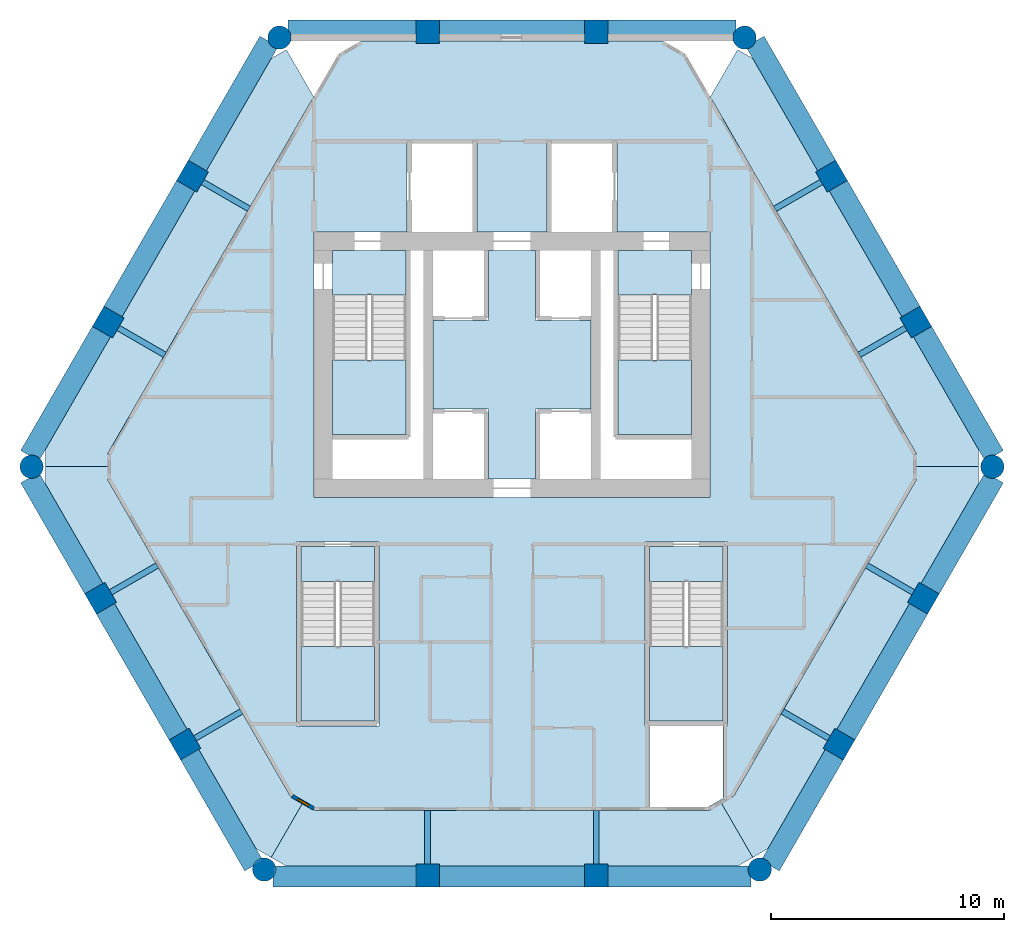
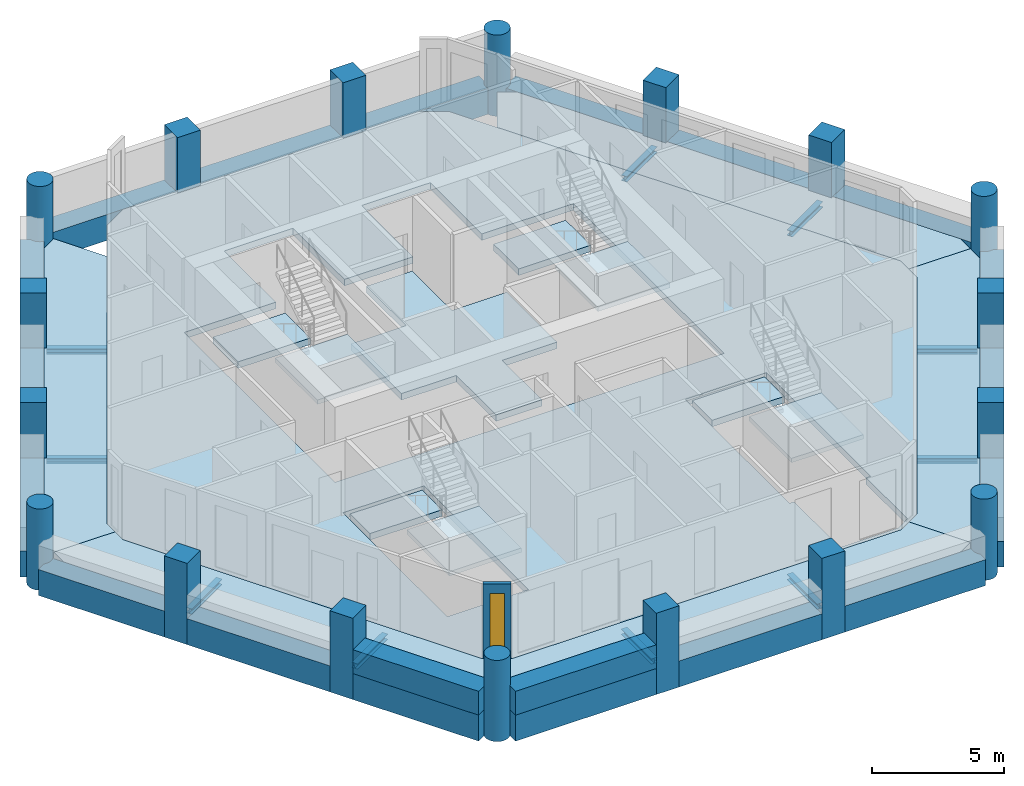
# One storey, part 1 of 7: 28 beams, 18 columns, 15 slabs, 3 walls, 1 window, 1 opening, 4 elements without a shape of their own.
"""IFC4 building model written with IfcOpenShell, lengths in metres."""

from ifc_helpers import new_model, si_unit, direction, frame, frame_2d, origin, origin_2d, place, context, subcontext, project, spatial, polyline, rectangle, circle, i_section, outline, extrude, material, layer, layer_set, material_profile, profile_set, type_object, element, fill, aggregate, save


model = new_model("IFC4")

# Units and contexts
model_context = context("Model", 3, precision=1e-05, world=origin(), true_north=direction((0.0, 1.0)))
body_context = subcontext(model_context, "Body", "Model", "MODEL_VIEW")
ifc_project = project(units=[si_unit("LENGTHUNIT", "METRE"), si_unit("AREAUNIT", "SQUARE_METRE"), si_unit("VOLUMEUNIT", "CUBIC_METRE"), si_unit("PLANEANGLEUNIT", "RADIAN"), si_unit("MASSUNIT", "GRAM", prefix="KILO")], contexts=[model_context])

# Site, building, storey
site_placement = place(None, origin())
site = spatial("IfcSite", under=ifc_project, at=site_placement, CompositionType="ELEMENT")
building_placement = place(site_placement, origin())
building = spatial("IfcBuilding", under=site, at=building_placement, Name="Ostrander Bayou Hotel Tower", CompositionType="ELEMENT")
storey_placement = place(building_placement, frame((0.0, 0.0, 168.25)))
storey = spatial("IfcBuildingStorey", under=building, at=storey_placement, Name="L41", CompositionType="ELEMENT", Elevation=168.25)

# Columns
ifc_material_1 = material(Name="Concrete f'c 60 MPa", Category="concrete")
ifc_material_profile_1 = material_profile(ifc_material_1, circle(Radius=0.5, at=origin_2d()))
ifc_profile_set_1 = profile_set([ifc_material_profile_1], Name="Concrete f'c 60 MPa")
column_type_1 = type_object("IfcColumnType", Name="C5 round column 1000 mm f'c 60 MPa", PredefinedType="COLUMN", material=ifc_profile_set_1)
for number, where, z_axis, x_axis, name in (
    (1, (-9.98388671875, 18.04541015625, -1.199951171875), (0.0, 0.0, 1.0), (1.0, 0.0, 0.0), "C5 L41 K0"),
    (2, (-20.619873046875, -0.37646484375, -1.199951171875), (0.0, 0.0, 1.0), (1.0, 0.0, 0.0), "C5 L41 K1"),
    (3, (-10.635986328125, -17.669189453125, -1.199951171875), (0.0, 0.0, 1.0), (1.0, 0.0, 0.0), "C5 L41 K2"),
    (4, (10.635986328125, -17.669189453125, -1.199951171875), (0.0, 0.0, 1.0), (1.0, 0.0, 0.0), "C5 L41 K3"),
    (5, (20.619873046875, -0.37646484375, -1.199951171875), (0.0, 0.0, 1.0), (1.0, 0.0, 0.0), "C5 L41 K4"),
    (6, (9.98388671875, 18.04541015625, -1.199951171875), (0.0, 0.0, 1.0), (1.0, 0.0, 0.0), "C5 L41 K5"),
):
    element("IfcColumn", number, at=place(storey_placement, frame(where, z_axis=z_axis, x_axis=x_axis)), inside=storey, type_object=column_type_1, Name=name, PredefinedType="COLUMN", context=body_context, shape_type="SweptSolid", body=[
        extrude(circle(Radius=0.5, at=origin_2d()), origin(), (0.0, 0.0, 1.0), 3.75),
    ])
ifc_material_2 = material(Name="Concrete f'c 60 MPa", Category="concrete")
ifc_material_profile_2 = material_profile(ifc_material_2, rectangle(XDim=1.0, YDim=1.0, at=origin_2d()))
ifc_profile_set_2 = profile_set([ifc_material_profile_2], Name="Concrete f'c 60 MPa")
column_type_2 = type_object("IfcColumnType", Name="C6 square column 1000 x 1000 mm f'c 60 MPa", PredefinedType="COLUMN", material=ifc_profile_set_2)
for number, where, z_axis, x_axis, name in (
    (7, (3.6181640625, 18.300048828125, -1.199951171875), (0.0, 0.0, 1.0), (1.0, 0.0, 0.0), "C6 L41 N1"),
    (8, (-3.6181640625, 18.300048828125, -1.199951171875), (0.0, 0.0, 1.0), (1.0, 0.0, 0.0), "C6 L41 N2"),
    (9, (-13.71337890625, 12.09521484375, -1.199951171875), (0.0, 0.0, 1.0), (0.5, 0.866025403784, 0.0), "C6 L41 NW1"),
    (10, (-17.331298828125, 5.82861328125, -1.199951171875), (0.0, 0.0, 1.0), (0.5, 0.866025403784, 0.0), "C6 L41 NW2"),
    (11, (-17.6572265625, -6.0166015625, -1.199951171875), (0.0, 0.0, 1.0), (-0.5, 0.866025403784, 0.0), "C6 L41 SW1"),
    (12, (-14.039306640625, -12.283203125, -1.199951171875), (0.0, 0.0, 1.0), (-0.5, 0.866025403784, 0.0), "C6 L41 SW2"),
    (13, (-3.6181640625, -17.923583984375, -1.199951171875), (0.0, 0.0, 1.0), (-1.0, 0.0, 0.0), "C6 L41 S1"),
    (14, (3.6181640625, -17.923583984375, -1.199951171875), (0.0, 0.0, 1.0), (-1.0, 0.0, 0.0), "C6 L41 S2"),
    (15, (14.039306640625, -12.283203125, -1.199951171875), (0.0, 0.0, 1.0), (-0.5, -0.866025403784, 0.0), "C6 L41 SE1"),
    (16, (17.6572265625, -6.0166015625, -1.199951171875), (0.0, 0.0, 1.0), (-0.5, -0.866025403784, 0.0), "C6 L41 SE2"),
    (17, (17.331298828125, 5.82861328125, -1.199951171875), (0.0, 0.0, 1.0), (0.5, -0.866025403784, 0.0), "C6 L41 NE1"),
    (18, (13.71337890625, 12.09521484375, -1.199951171875), (0.0, 0.0, 1.0), (0.5, -0.866025403784, 0.0), "C6 L41 NE2"),
):
    element("IfcColumn", number, at=place(storey_placement, frame(where, z_axis=z_axis, x_axis=x_axis)), inside=storey, type_object=column_type_2, Name=name, PredefinedType="COLUMN", context=body_context, shape_type="SweptSolid", body=[
        extrude(rectangle(XDim=1.0, YDim=1.0, at=origin_2d()), origin(), (0.0, 0.0, 1.0), 3.75),
    ])

# Beams
ifc_material_3 = material(Name="Steel ASTM A992", Category="steel")
ifc_material_profile_3 = material_profile(ifc_material_3, i_section(OverallWidth=0.25390625, OverallDepth=0.25341796875, WebThickness=0.008544921875, FlangeThickness=0.01416015625, at=origin_2d()))
ifc_profile_set_3 = profile_set([ifc_material_profile_3], Name="Steel ASTM A992")
beam_type_1 = type_object("IfcBeamType", Name="LB2 loggia bracket W10x49", PredefinedType="BEAM", material=ifc_profile_set_3)
for number, where, z_axis, x_axis, name in (
    (19, (-13.2802734375, 11.84521484375, -0.4267578125), (0.866007057882, -0.500031774688, 0.0), (0.500031774688, 0.866007057882, 0.0), "LB2 L41 NW1"),
    (20, (-16.898193359375, 5.57861328125, -0.4267578125), (0.865980515519, -0.500077740698, 0.0), (0.500077740698, 0.865980515519, 0.0), "LB2 L41 NW2"),
    (21, (-17.224365234375, -5.7666015625, -0.4267578125), (0.866053019151, 0.499952165731, 0.0), (-0.499952165731, 0.866053019151, 0.0), "LB2 L41 SW1"),
):
    element("IfcBeam", number, at=place(storey_placement, frame(where, z_axis=z_axis, x_axis=x_axis)), inside=storey, type_object=beam_type_1, Name=name, PredefinedType="BEAM", context=body_context, shape_type="SweptSolid", body=[
        extrude(i_section(OverallWidth=0.25390625, OverallDepth=0.25341796875, WebThickness=0.008544921875, FlangeThickness=0.01416015625, at=origin_2d()), origin(), (0.0, 0.0, 1.0), 2.300048828125),
    ])
beam_1_placement = place(storey_placement, frame((-13.606201171875, -12.033203125, -0.4267578125), z_axis=(0.86602648383, 0.499998129301, 0.0), x_axis=(-0.499998129301, 0.86602648383, 0.0)))
element("IfcBeam", 22, at=beam_1_placement, inside=storey, type_object=beam_type_1, Name="LB2 L41 SW2", PredefinedType="BEAM", context=body_context, shape_type="SweptSolid", body=[
    extrude(i_section(OverallWidth=0.25390625, OverallDepth=0.25341796875, WebThickness=0.008544921875, FlangeThickness=0.01416015625, at=origin_2d()), origin(), (0.0, 0.0, 1.0), 2.2998046875),
])
for number, where, z_axis, x_axis, name in (
    (23, (-3.6181640625, -17.423583984375, -0.4267578125), (0.0, 1.0, 0.0), (-1.0, 0.0, 0.0), "LB2 L41 S1"),
    (24, (3.6181640625, -17.423583984375, -0.4267578125), (0.0, 1.0, 0.0), (-1.0, 0.0, 0.0), "LB2 L41 S2"),
):
    element("IfcBeam", number, at=place(storey_placement, frame(where, z_axis=z_axis, x_axis=x_axis)), inside=storey, type_object=beam_type_1, Name=name, PredefinedType="BEAM", context=body_context, shape_type="SweptSolid", body=[
        extrude(i_section(OverallWidth=0.25390625, OverallDepth=0.25341796875, WebThickness=0.008544921875, FlangeThickness=0.01416015625, at=origin_2d()), origin(), (0.0, 0.0, 1.0), 2.300048828125),
    ])
beam_2_placement = place(storey_placement, frame((13.606201171875, -12.033203125, -0.4267578125), z_axis=(-0.86602648383, 0.499998129301, 0.0), x_axis=(-0.499998129301, -0.86602648383, 0.0)))
element("IfcBeam", 25, at=beam_2_placement, inside=storey, type_object=beam_type_1, Name="LB2 L41 SE1", PredefinedType="BEAM", context=body_context, shape_type="SweptSolid", body=[
    extrude(i_section(OverallWidth=0.25390625, OverallDepth=0.25341796875, WebThickness=0.008544921875, FlangeThickness=0.01416015625, at=origin_2d()), origin(), (0.0, 0.0, 1.0), 2.2998046875),
])
for number, where, z_axis, x_axis, name in (
    (26, (17.224365234375, -5.7666015625, -0.4267578125), (-0.866053019151, 0.499952165731, 0.0), (-0.499952165731, -0.866053019151, 0.0), "LB2 L41 SE2"),
    (27, (16.898193359375, 5.57861328125, -0.4267578125), (-0.865980515519, -0.500077740698, 0.0), (0.500077740698, -0.865980515519, 0.0), "LB2 L41 NE1"),
    (28, (13.2802734375, 11.84521484375, -0.4267578125), (-0.866007057882, -0.500031774688, 0.0), (0.500031774688, -0.866007057882, 0.0), "LB2 L41 NE2"),
):
    element("IfcBeam", number, at=place(storey_placement, frame(where, z_axis=z_axis, x_axis=x_axis)), inside=storey, type_object=beam_type_1, Name=name, PredefinedType="BEAM", context=body_context, shape_type="SweptSolid", body=[
        extrude(i_section(OverallWidth=0.25390625, OverallDepth=0.25341796875, WebThickness=0.008544921875, FlangeThickness=0.01416015625, at=origin_2d()), origin(), (0.0, 0.0, 1.0), 2.300048828125),
    ])
ifc_material_4 = material(Name="Concrete f'c 60 MPa", Category="concrete")
ifc_material_profile_4 = material_profile(ifc_material_4, rectangle(XDim=0.89990234375, YDim=1.199951171875, at=origin_2d()))
ifc_profile_set_4 = profile_set([ifc_material_profile_4], Name="Concrete f'c 60 MPa")
beam_type_2 = type_object("IfcBeamType", Name="SP3 spandrel beam 900 x 1200 mm f'c 60 MPa", PredefinedType="SPANDREL", material=ifc_profile_set_4)
beam_3_placement = place(storey_placement, frame((9.617431640625, 18.35009765625, -0.60009765625), z_axis=(-1.0, 0.0, 0.0), x_axis=(0.0, -1.0, 0.0)))
element("IfcBeam", 29, at=beam_3_placement, inside=storey, type_object=beam_type_2, Name="SP3 L41 N-1", PredefinedType="SPANDREL", context=body_context, shape_type="SweptSolid", body=[
    extrude(rectangle(XDim=0.89990234375, YDim=1.199951171875, at=origin_2d()), origin(), (0.0, 0.0, 1.0), 5.529296875),
])
beam_4_placement = place(storey_placement, frame((3.148193359375, 18.35009765625, -0.60009765625), z_axis=(-1.0, 0.0, 0.0), x_axis=(0.0, -1.0, 0.0)))
element("IfcBeam", 30, at=beam_4_placement, inside=storey, type_object=beam_type_2, Name="SP3 L41 N-2", PredefinedType="SPANDREL", context=body_context, shape_type="SweptSolid", body=[
    extrude(rectangle(XDim=0.89990234375, YDim=1.199951171875, at=origin_2d()), origin(), (0.0, 0.0, 1.0), 6.29638671875),
])
beam_5_placement = place(storey_placement, frame((-4.088134765625, 18.35009765625, -0.60009765625), z_axis=(-1.0, 0.0, 0.0), x_axis=(0.0, -1.0, 0.0)))
element("IfcBeam", 31, at=beam_5_placement, inside=storey, type_object=beam_type_2, Name="SP3 L41 N-3", PredefinedType="SPANDREL", context=body_context, shape_type="SweptSolid", body=[
    extrude(rectangle(XDim=0.89990234375, YDim=1.199951171875, at=origin_2d()), origin(), (0.0, 0.0, 1.0), 5.529296875),
])
beam_6_placement = place(storey_placement, frame((-10.430908203125, 17.88037109375, -0.60009765625), z_axis=(-0.49998343065, -0.866034969892, 0.0), x_axis=(0.866034969892, -0.49998343065, 0.0)))
element("IfcBeam", 32, at=beam_6_placement, inside=storey, type_object=beam_type_2, Name="SP3 L41 NW-1", PredefinedType="SPANDREL", context=body_context, shape_type="SweptSolid", body=[
    extrude(rectangle(XDim=0.89990234375, YDim=1.199951171875, at=origin_2d()), origin(), (0.0, 0.0, 1.0), 6.181396484375),
])
beam_7_placement = place(storey_placement, frame((-13.99169921875, 11.713134765625, -0.60009765625), z_axis=(-0.499984268907, -0.866034485945, 0.0), x_axis=(0.866034485945, -0.499984268907, 0.0)))
element("IfcBeam", 33, at=beam_7_placement, inside=storey, type_object=beam_type_2, Name="SP3 L41 NW-2", PredefinedType="SPANDREL", context=body_context, shape_type="SweptSolid", body=[
    extrude(rectangle(XDim=0.89990234375, YDim=1.199951171875, at=origin_2d()), origin(), (0.0, 0.0, 1.0), 6.296142578125),
])
beam_8_placement = place(storey_placement, frame((-17.609619140625, 5.4462890625, -0.60009765625), z_axis=(-0.500000533151, -0.866025095969, 0.0), x_axis=(0.866025095969, -0.500000533151, 0.0)))
element("IfcBeam", 34, at=beam_8_placement, inside=storey, type_object=beam_type_2, Name="SP3 L41 NW-3", PredefinedType="SPANDREL", context=body_context, shape_type="SweptSolid", body=[
    extrude(rectangle(XDim=0.89990234375, YDim=1.199951171875, at=origin_2d()), origin(), (0.0, 0.0, 1.0), 6.18115234375),
])
beam_9_placement = place(storey_placement, frame((-20.7001953125, -0.84619140625, -0.60009765625), z_axis=(0.500014212531, -0.86601719802, 0.0), x_axis=(0.86601719802, 0.500014212531, 0.0)))
element("IfcBeam", 35, at=beam_9_placement, inside=storey, type_object=beam_type_2, Name="SP3 L41 SW-1", PredefinedType="SPANDREL", context=body_context, shape_type="SweptSolid", body=[
    extrude(rectangle(XDim=0.89990234375, YDim=1.199951171875, at=origin_2d()), origin(), (0.0, 0.0, 1.0), 5.529052734375),
])
beam_10_placement = place(storey_placement, frame((-17.465576171875, -6.44873046875, -0.60009765625), z_axis=(0.500013351051, -0.866017695414, 0.0), x_axis=(0.866017695414, 0.500013351051, 0.0)))
element("IfcBeam", 36, at=beam_10_placement, inside=storey, type_object=beam_type_2, Name="SP3 L41 SW-2", PredefinedType="SPANDREL", context=body_context, shape_type="SweptSolid", body=[
    extrude(rectangle(XDim=0.89990234375, YDim=1.199951171875, at=origin_2d()), origin(), (0.0, 0.0, 1.0), 6.296142578125),
])
beam_11_placement = place(storey_placement, frame((-13.847412109375, -12.71533203125, -0.60009765625), z_axis=(0.499961976493, -0.866047355554, 0.0), x_axis=(0.866047355554, 0.499961976493, 0.0)))
element("IfcBeam", 37, at=beam_11_placement, inside=storey, type_object=beam_type_2, Name="SP3 L41 SW-3", PredefinedType="SPANDREL", context=body_context, shape_type="SweptSolid", body=[
    extrude(rectangle(XDim=0.89990234375, YDim=1.199951171875, at=origin_2d()), origin(), (0.0, 0.0, 1.0), 5.529296875),
])
beam_12_placement = place(storey_placement, frame((-10.269287109375, -17.9736328125, -0.60009765625), z_axis=(1.0, 0.0, 0.0), x_axis=(0.0, 1.0, 0.0)))
element("IfcBeam", 38, at=beam_12_placement, inside=storey, type_object=beam_type_2, Name="SP3 L41 S-1", PredefinedType="SPANDREL", context=body_context, shape_type="SweptSolid", body=[
    extrude(rectangle(XDim=0.89990234375, YDim=1.199951171875, at=origin_2d()), origin(), (0.0, 0.0, 1.0), 6.18115234375),
])
beam_13_placement = place(storey_placement, frame((-3.148193359375, -17.9736328125, -0.60009765625), z_axis=(1.0, 0.0, 0.0), x_axis=(0.0, 1.0, 0.0)))
element("IfcBeam", 39, at=beam_13_placement, inside=storey, type_object=beam_type_2, Name="SP3 L41 S-2", PredefinedType="SPANDREL", context=body_context, shape_type="SweptSolid", body=[
    extrude(rectangle(XDim=0.89990234375, YDim=1.199951171875, at=origin_2d()), origin(), (0.0, 0.0, 1.0), 6.29638671875),
])
beam_14_placement = place(storey_placement, frame((4.088134765625, -17.9736328125, -0.60009765625), z_axis=(1.0, 0.0, 0.0), x_axis=(0.0, 1.0, 0.0)))
element("IfcBeam", 40, at=beam_14_placement, inside=storey, type_object=beam_type_2, Name="SP3 L41 S-3", PredefinedType="SPANDREL", context=body_context, shape_type="SweptSolid", body=[
    extrude(rectangle(XDim=0.89990234375, YDim=1.199951171875, at=origin_2d()), origin(), (0.0, 0.0, 1.0), 6.18115234375),
])
beam_15_placement = place(storey_placement, frame((11.0830078125, -17.50390625, -0.60009765625), z_axis=(0.499961976493, 0.866047355554, 0.0), x_axis=(-0.866047355554, 0.499961976493, 0.0)))
element("IfcBeam", 41, at=beam_15_placement, inside=storey, type_object=beam_type_2, Name="SP3 L41 SE-1", PredefinedType="SPANDREL", context=body_context, shape_type="SweptSolid", body=[
    extrude(rectangle(XDim=0.89990234375, YDim=1.199951171875, at=origin_2d()), origin(), (0.0, 0.0, 1.0), 5.529296875),
])
beam_16_placement = place(storey_placement, frame((14.3173828125, -11.9013671875, -0.60009765625), z_axis=(0.500013351051, 0.866017695414, 0.0), x_axis=(-0.866017695414, 0.500013351051, 0.0)))
element("IfcBeam", 42, at=beam_16_placement, inside=storey, type_object=beam_type_2, Name="SP3 L41 SE-2", PredefinedType="SPANDREL", context=body_context, shape_type="SweptSolid", body=[
    extrude(rectangle(XDim=0.89990234375, YDim=1.199951171875, at=origin_2d()), origin(), (0.0, 0.0, 1.0), 6.296142578125),
])
beam_17_placement = place(storey_placement, frame((17.935546875, -5.634521484375, -0.60009765625), z_axis=(0.500014212531, 0.86601719802, 0.0), x_axis=(-0.86601719802, 0.500014212531, 0.0)))
element("IfcBeam", 43, at=beam_17_placement, inside=storey, type_object=beam_type_2, Name="SP3 L41 SE-3", PredefinedType="SPANDREL", context=body_context, shape_type="SweptSolid", body=[
    extrude(rectangle(XDim=0.89990234375, YDim=1.199951171875, at=origin_2d()), origin(), (0.0, 0.0, 1.0), 5.529052734375),
])
beam_18_placement = place(storey_placement, frame((20.7001953125, 0.09326171875, -0.60009765625), z_axis=(-0.500000533151, 0.866025095969, 0.0), x_axis=(-0.866025095969, -0.500000533151, 0.0)))
element("IfcBeam", 44, at=beam_18_placement, inside=storey, type_object=beam_type_2, Name="SP3 L41 NE-1", PredefinedType="SPANDREL", context=body_context, shape_type="SweptSolid", body=[
    extrude(rectangle(XDim=0.89990234375, YDim=1.199951171875, at=origin_2d()), origin(), (0.0, 0.0, 1.0), 6.18115234375),
])
beam_19_placement = place(storey_placement, frame((17.1396484375, 6.260498046875, -0.60009765625), z_axis=(-0.499984268907, 0.866034485945, 0.0), x_axis=(-0.866034485945, -0.499984268907, 0.0)))
element("IfcBeam", 45, at=beam_19_placement, inside=storey, type_object=beam_type_2, Name="SP3 L41 NE-2", PredefinedType="SPANDREL", context=body_context, shape_type="SweptSolid", body=[
    extrude(rectangle(XDim=0.89990234375, YDim=1.199951171875, at=origin_2d()), origin(), (0.0, 0.0, 1.0), 6.296142578125),
])
beam_20_placement = place(storey_placement, frame((13.521484375, 12.527099609375, -0.60009765625), z_axis=(-0.49998343065, 0.866034969892, 0.0), x_axis=(-0.866034969892, -0.49998343065, 0.0)))
element("IfcBeam", 46, at=beam_20_placement, inside=storey, type_object=beam_type_2, Name="SP3 L41 NE-3", PredefinedType="SPANDREL", context=body_context, shape_type="SweptSolid", body=[
    extrude(rectangle(XDim=0.89990234375, YDim=1.199951171875, at=origin_2d()), origin(), (0.0, 0.0, 1.0), 6.181396484375),
])

# Slabs
ifc_material_5 = material(Name="Concrete f'c 40 MPa", Category="concrete")
ifc_layer_1 = layer(ifc_material_5, 0.300048828125)
ifc_layer_set_1 = layer_set([ifc_layer_1], Name="SL1 floor slab 300 mm f'c 40 MPa")
slab_type_1 = type_object("IfcSlabType", Name="SL1 floor slab 300 mm f'c 40 MPa", PredefinedType="FLOOR", material=ifc_layer_set_1)
slab_1_placement = place(storey_placement, frame((0.0, 0.0, -0.300048828125)))
element("IfcSlab", 47, at=slab_1_placement, inside=storey, type_object=slab_type_1, Name="SL1 L41 1", PredefinedType="FLOOR", context=body_context, shape_type="SweptSolid", body=[
    extrude(outline(polyline([(7.47509765625, 17.300048828125), (17.333984375, 0.2236328125), (17.333984375, -0.976318359375), (9.5126953125, -14.523681640625), (8.473388671875, -15.12353515625), (-8.473388671875, -15.12353515625), (-9.5126953125, -14.523681640625), (-17.333984375, -0.976318359375), (-17.333984375, 0.2236328125), (-7.47509765625, 17.300048828125), (-6.435791015625, 17.89990234375), (6.435791015625, 17.89990234375), (7.47509765625, 17.300048828125)]), holes=[polyline([(9.050048828125, -11.5), (9.25, -11.5), (9.25, -3.60009765625), (5.699951171875, -3.60009765625), (5.699951171875, -11.5), (5.89990234375, -11.5), (5.89990234375, -14.9736328125), (8.43310546875, -14.9736328125), (9.050048828125, -14.617431640625), (9.050048828125, -11.5)]), polyline([(-8.5, -1.699951171875), (8.5, -1.699951171875), (8.5, 9.699951171875), (4.5, 9.699951171875), (4.5, 13.60009765625), (1.5, 13.60009765625), (1.5, 9.699951171875), (-1.5, 9.699951171875), (-1.5, 13.60009765625), (-4.5, 13.60009765625), (-4.5, 9.699951171875), (-8.5, 9.699951171875), (-8.5, -1.699951171875)]), polyline([(-5.699951171875, -3.60009765625), (-9.25, -3.60009765625), (-9.25, -11.5), (-5.699951171875, -11.5), (-5.699951171875, -3.60009765625)])]), origin(), (0.0, 0.0, 1.0), 0.300048828125),
])
slab_2_placement = place(storey_placement, frame((0.0, 0.0, -0.300048828125)))
element("IfcSlab", 48, at=slab_2_placement, inside=storey, type_object=slab_type_1, Name="cslab:L41:001", PredefinedType="FLOOR", context=body_context, shape_type="SweptSolid", body=[
    extrude(outline(polyline([(-3.39990234375, 5.89990234375), (-1.0, 5.89990234375), (-1.0, 8.89990234375), (1.0, 8.89990234375), (1.0, 5.89990234375), (3.39990234375, 5.89990234375), (3.39990234375, 2.10009765625), (1.0, 2.10009765625), (1.0, -0.89990234375), (-1.0, -0.89990234375), (-1.0, 2.10009765625), (-3.39990234375, 2.10009765625), (-3.39990234375, 5.89990234375)])), origin(), (0.0, 0.0, 1.0), 0.300048828125),
])
slab_3_placement = place(storey_placement, frame((0.0, 0.0, -0.300048828125)))
element("IfcSlab", 49, at=slab_3_placement, inside=storey, type_object=slab_type_1, Name="cslab:L41:002", PredefinedType="FLOOR", context=body_context, shape_type="SweptSolid", body=[
    extrude(outline(polyline([(-4.550048828125, 7.0), (-4.550048828125, 8.89990234375), (-7.699951171875, 8.89990234375), (-7.699951171875, 7.0), (-4.550048828125, 7.0)])), origin(), (0.0, 0.0, 1.0), 0.300048828125),
])
slab_4_placement = place(storey_placement, frame((0.0, 0.0, -0.300048828125)))
element("IfcSlab", 50, at=slab_4_placement, inside=storey, type_object=slab_type_1, Name="cslab:L41:003", PredefinedType="FLOOR", context=body_context, shape_type="SweptSolid", body=[
    extrude(outline(polyline([(7.699951171875, 7.0), (7.699951171875, 8.89990234375), (4.550048828125, 8.89990234375), (4.550048828125, 7.0), (7.699951171875, 7.0)])), origin(), (0.0, 0.0, 1.0), 0.300048828125),
])
slab_5_placement = place(storey_placement, frame((0.0, 0.0, -0.300048828125)))
element("IfcSlab", 51, at=slab_5_placement, inside=storey, type_object=slab_type_1, Name="cslab:L41:004", PredefinedType="FLOOR", context=body_context, shape_type="SweptSolid", body=[
    extrude(outline(polyline([(9.050048828125, -5.300048828125), (9.050048828125, -3.800048828125), (5.89990234375, -3.800048828125), (5.89990234375, -5.300048828125), (9.050048828125, -5.300048828125)])), origin(), (0.0, 0.0, 1.0), 0.300048828125),
])
slab_6_placement = place(storey_placement, frame((0.0, 0.0, -0.300048828125)))
element("IfcSlab", 52, at=slab_6_placement, inside=storey, type_object=slab_type_1, Name="cslab:L41:005", PredefinedType="FLOOR", context=body_context, shape_type="SweptSolid", body=[
    extrude(outline(polyline([(-5.89990234375, -5.300048828125), (-5.89990234375, -3.800048828125), (-9.050048828125, -3.800048828125), (-9.050048828125, -5.300048828125), (-5.89990234375, -5.300048828125)])), origin(), (0.0, 0.0, 1.0), 0.300048828125),
])
ifc_material_6 = material(Name="Concrete f'c 40 MPa", Category="concrete")
ifc_layer_2 = layer(ifc_material_6, 0.300048828125)
ifc_layer_set_2 = layer_set([ifc_layer_2], Name="SL4 loggia slab 300 mm f'c 40 MPa")
slab_type_2 = type_object("IfcSlabType", Name="SL4 loggia slab 300 mm f'c 40 MPa", PredefinedType="FLOOR", material=ifc_layer_set_2)
slab_7_placement = place(storey_placement, frame((0.0, 0.0, -0.300048828125)))
element("IfcSlab", 53, at=slab_7_placement, inside=storey, type_object=slab_type_2, Name="SL4 LOGGIA L41 NW 1", PredefinedType="FLOOR", context=body_context, shape_type="SweptSolid", body=[
    extrude(outline(polyline([(-20.018798828125, -0.37646484375), (-20.018798828125, 0.37353515625), (-11.14599609375, 15.74169921875), (-10.3330078125, 17.14990234375), (-9.683349609375, 17.52490234375), (-8.514404296875, 15.5), (-17.333984375, 0.2236328125), (-17.333984375, -0.37646484375), (-20.018798828125, -0.37646484375)])), origin(), (0.0, 0.0, 1.0), 0.300048828125),
])
slab_8_placement = place(storey_placement, frame((0.0, 0.0, -0.300048828125)))
element("IfcSlab", 54, at=slab_8_placement, inside=storey, type_object=slab_type_2, Name="SL4 LOGGIA L41 SW 1", PredefinedType="FLOOR", context=body_context, shape_type="SweptSolid", body=[
    extrude(outline(polyline([(-8.992919921875, -14.823486328125), (-10.33544921875, -17.148681640625), (-10.98486328125, -16.773681640625), (-20.018798828125, -1.12646484375), (-20.018798828125, -0.37646484375), (-17.333984375, -0.37646484375), (-17.333984375, -0.976318359375), (-9.5126953125, -14.523681640625), (-8.992919921875, -14.823486328125)])), origin(), (0.0, 0.0, 1.0), 0.300048828125),
])
slab_9_placement = place(storey_placement, frame((0.0, 0.0, -0.300048828125)))
element("IfcSlab", 55, at=slab_9_placement, inside=storey, type_object=slab_type_2, Name="SL4 LOGGIA L41 S 1", PredefinedType="FLOOR", context=body_context, shape_type="SweptSolid", body=[
    extrude(outline(polyline([(8.992919921875, -14.823486328125), (10.33544921875, -17.148681640625), (9.685791015625, -17.523681640625), (4.088134765625, -17.523681640625), (3.148193359375, -17.523681640625), (0.0, -17.523681640625), (-9.685791015625, -17.523681640625), (-10.33544921875, -17.148681640625), (-8.992919921875, -14.823486328125), (-8.473388671875, -15.12353515625), (8.473388671875, -15.12353515625), (8.992919921875, -14.823486328125)])), origin(), (0.0, 0.0, 1.0), 0.300048828125),
])
slab_10_placement = place(storey_placement, frame((0.0, 0.0, -0.300048828125)))
element("IfcSlab", 56, at=slab_10_placement, inside=storey, type_object=slab_type_2, Name="SL4 LOGGIA L41 SE 1", PredefinedType="FLOOR", context=body_context, shape_type="SweptSolid", body=[
    extrude(outline(polyline([(17.333984375, -0.37646484375), (20.018798828125, -0.37646484375), (20.018798828125, -1.12646484375), (18.85888671875, -3.135498046875), (17.5458984375, -5.40966796875), (17.075927734375, -6.2236328125), (13.927734375, -11.67626953125), (13.457763671875, -12.490478515625), (10.98486328125, -16.773681640625), (10.33544921875, -17.148681640625), (8.992919921875, -14.823486328125), (9.5126953125, -14.523681640625), (17.333984375, -0.976318359375), (17.333984375, -0.37646484375)])), origin(), (0.0, 0.0, 1.0), 0.300048828125),
])
slab_11_placement = place(storey_placement, frame((0.0, 0.0, -0.300048828125)))
element("IfcSlab", 57, at=slab_11_placement, inside=storey, type_object=slab_type_2, Name="SL4 LOGGIA L41 NE 1", PredefinedType="FLOOR", context=body_context, shape_type="SweptSolid", body=[
    extrude(outline(polyline([(9.683349609375, 17.52490234375), (10.3330078125, 17.14990234375), (16.036376953125, 7.271484375), (16.108154296875, 7.147216796875), (16.75, 6.035400390625), (17.219970703125, 5.221435546875), (20.018798828125, 0.37353515625), (20.018798828125, -0.37646484375), (17.333984375, -0.37646484375), (17.333984375, 0.2236328125), (8.514404296875, 15.5), (9.683349609375, 17.52490234375)])), origin(), (0.0, 0.0, 1.0), 0.300048828125),
])

# Stair, slab
ifc_material_7 = material(Name="Concrete f'c 45 MPa", Category="concrete")
stair_type = type_object("IfcStairType", Name="ST1 exit stair 1500 mm f'c 45 MPa", PredefinedType="HALF_TURN_STAIR", material=ifc_material_7)
stair_1_placement = place(storey_placement, origin())
stair_1 = element("IfcStair", 58, at=stair_1_placement, inside=storey, type_object=stair_type, Name="L41 exit stair A", PredefinedType="HALF_TURN_STAIR")
ifc_material_8 = material(Name="Concrete f'c 45 MPa", Category="concrete")
ifc_layer_3 = layer(ifc_material_8, 0.199951171875)
ifc_layer_set_3 = layer_set([ifc_layer_3], Name="SL8 stair landing 200 mm f'c 45 MPa")
slab_type_3 = type_object("IfcSlabType", Name="SL8 stair landing 200 mm f'c 45 MPa", PredefinedType="LANDING", material=ifc_layer_set_3)
slab_12_placement = place(storey_placement, frame((0.0, 0.0, 1.675048828125)))
slab_12 = element("IfcSlab", 59, at=slab_12_placement, type_object=slab_type_3, Name="STA landing 1", PredefinedType="LANDING", context=body_context, shape_type="SweptSolid", body=[
    extrude(outline(polyline([(-7.699951171875, 4.199951171875), (-7.699951171875, 1.0), (-4.550048828125, 1.0), (-4.550048828125, 4.199951171875), (-7.699951171875, 4.199951171875)])), origin(), (0.0, 0.0, 1.0), 0.199951171875),
])
aggregate(stair_1, [slab_12])

stair_2_placement = place(storey_placement, origin())
stair_2 = element("IfcStair", 60, at=stair_2_placement, inside=storey, type_object=stair_type, Name="L41 exit stair B", PredefinedType="HALF_TURN_STAIR")
slab_13_placement = place(storey_placement, frame((0.0, 0.0, 1.675048828125)))
slab_13 = element("IfcSlab", 61, at=slab_13_placement, type_object=slab_type_3, Name="STB landing 1", PredefinedType="LANDING", context=body_context, shape_type="SweptSolid", body=[
    extrude(outline(polyline([(4.550048828125, 4.199951171875), (4.550048828125, 1.0), (7.699951171875, 1.0), (7.699951171875, 4.199951171875), (4.550048828125, 4.199951171875)])), origin(), (0.0, 0.0, 1.0), 0.199951171875),
])
aggregate(stair_2, [slab_13])

stair_3_placement = place(storey_placement, origin())
stair_3 = element("IfcStair", 62, at=stair_3_placement, inside=storey, type_object=stair_type, Name="L41 exit stair C", PredefinedType="HALF_TURN_STAIR")
slab_14_placement = place(storey_placement, frame((0.0, 0.0, 1.675048828125)))
slab_14 = element("IfcSlab", 63, at=slab_14_placement, type_object=slab_type_3, Name="STC landing 1", PredefinedType="LANDING", context=body_context, shape_type="SweptSolid", body=[
    extrude(outline(polyline([(5.89990234375, -8.10009765625), (5.89990234375, -11.300048828125), (9.050048828125, -11.300048828125), (9.050048828125, -8.10009765625), (5.89990234375, -8.10009765625)])), origin(), (0.0, 0.0, 1.0), 0.199951171875),
])
aggregate(stair_3, [slab_14])

stair_4_placement = place(storey_placement, origin())
stair_4 = element("IfcStair", 64, at=stair_4_placement, inside=storey, type_object=stair_type, Name="L41 exit stair D", PredefinedType="HALF_TURN_STAIR")
slab_15_placement = place(storey_placement, frame((0.0, 0.0, 1.675048828125)))
slab_15 = element("IfcSlab", 65, at=slab_15_placement, type_object=slab_type_3, Name="STD landing 1", PredefinedType="LANDING", context=body_context, shape_type="SweptSolid", body=[
    extrude(outline(polyline([(-9.050048828125, -8.10009765625), (-9.050048828125, -11.300048828125), (-5.89990234375, -11.300048828125), (-5.89990234375, -8.10009765625), (-9.050048828125, -8.10009765625)])), origin(), (0.0, 0.0, 1.0), 0.199951171875),
])
aggregate(stair_4, [slab_15])

# Wall, opening, window
ifc_material_9 = material(Name="Aluminium framed insulated wall", Category="aluminium")
ifc_layer_4 = layer(ifc_material_9, 0.14990234375)
ifc_layer_set_4 = layer_set([ifc_layer_4], Name="GW1 glass-line wall 150 mm")
wall_type_1 = type_object("IfcWallType", Name="GW1 glass-line wall 150 mm", PredefinedType="SOLIDWALL", material=ifc_layer_set_4)
wall_1_placement = place(storey_placement, frame((-9.430419921875, -14.51611328125, 0.0), z_axis=(0.0, 0.0, 1.0), x_axis=(0.866048165231, -0.499960573946, 0.0)))
wall_1 = element("IfcWall", 66, at=wall_1_placement, inside=storey, type_object=wall_type_1, Name="GW1 L41 corner 3", PredefinedType="SOLIDWALL", context=body_context, shape_type="SweptSolid", body=[
    extrude(rectangle(XDim=1.06494140625, YDim=0.14990234375, at=frame_2d((0.532470703125, 0.0))), origin(), (0.0, 0.0, 1.0), 3.449951171875),
])
opening_placement = place(wall_1_placement, frame((0.257568359375, 0.0, 0.14990234375)))
opening = element("IfcOpeningElement", 67, at=opening_placement, cuts=wall_1, Name="Opening W19", PredefinedType="OPENING", context=body_context, shape_type="SweptSolid", body=[
    extrude(rectangle(XDim=0.550048828125, YDim=2.85009765625, at=frame_2d((0.27490234375, 1.425048828125))), frame((0.0, 0.074951171875, 0.0), z_axis=(0.0, -1.0, 0.0), x_axis=(1.0, 0.0, 0.0)), (0.0, 0.0, 1.0), 0.14990234375),
])
ifc_material_10 = material(Name="Aluminium and clear glass", Category="aluminium")
window_type = type_object("IfcWindowType", Name="W19 corner window 550 mm", PartitioningType="SINGLE_PANEL", PredefinedType="WINDOW", material=ifc_material_10)
window_placement = place(opening_placement, origin())
window = element("IfcWindow", 68, at=window_placement, inside=storey, type_object=window_type, Name="W19 L41 corner 3", OverallHeight=2.85009765625, OverallWidth=0.550048828125, PartitioningType="SINGLE_PANEL", PredefinedType="WINDOW", context=body_context, shape_type="SweptSolid", body=[
    extrude(rectangle(XDim=0.550048828125, YDim=2.85009765625, at=frame_2d((0.27490234375, 1.425048828125))), frame((0.0, 0.030029296875, 0.0), z_axis=(0.0, -1.0, 0.0), x_axis=(1.0, 0.0, 0.0)), (0.0, 0.0, 1.0), 0.06005859375),
])
fill(opening, window)

# Walls
ifc_material_11 = material(Name="Concrete f'c 40 MPa", Category="concrete")
ifc_layer_5 = layer(ifc_material_11, 0.89990234375)
ifc_layer_set_5 = layer_set([ifc_layer_5], Name="PA1 stone-faced parapet 900 mm")
wall_type_2 = type_object("IfcWallType", Name="PA1 stone-faced parapet 900 mm", PredefinedType="PARAPET", material=ifc_layer_set_5)
wall_2_placement = place(storey_placement, frame((-10.269287109375, -17.9736328125, 0.0), z_axis=(0.0, 0.0, 1.0), x_axis=(1.0, 0.0, 0.0)))
element("IfcWall", 69, at=wall_2_placement, inside=storey, type_object=wall_type_2, Name="PA1 L41 S-1", PredefinedType="PARAPET", context=body_context, shape_type="SweptSolid", body=[
    extrude(rectangle(XDim=6.18115234375, YDim=0.89990234375, at=frame_2d((3.090576171875, 0.0))), origin(), (0.0, 0.0, 1.0), 1.10009765625),
])
ifc_material_12 = material(Name="Limestone masonry", Category="masonry")
ifc_layer_6 = layer(ifc_material_12, 0.89990234375)
ifc_layer_set_6 = layer_set([ifc_layer_6], Name="PA2 limestone parapet 900 mm")
wall_type_3 = type_object("IfcWallType", Name="PA2 limestone parapet 900 mm", PredefinedType="PARAPET", material=ifc_layer_set_6)
wall_3_placement = place(storey_placement, frame((-13.847412109375, -12.71533203125, 0.0), z_axis=(0.0, 0.0, 1.0), x_axis=(0.499961976493, -0.866047355554, 0.0)))
element("IfcWall", 70, at=wall_3_placement, inside=storey, type_object=wall_type_3, Name="PA2 L41 SW-3", PredefinedType="PARAPET", context=body_context, shape_type="SweptSolid", body=[
    extrude(rectangle(XDim=5.529296875, YDim=0.89990234375, at=frame_2d((2.7646484375, 0.0))), origin(), (0.0, 0.0, 1.0), 1.10009765625),
])

save(model, "model.ifc")
